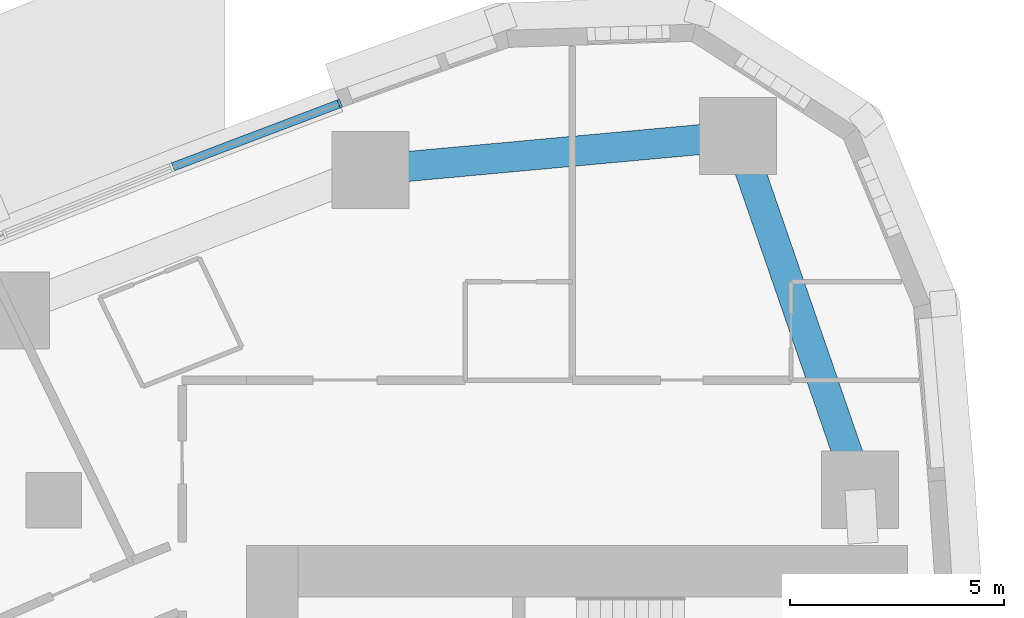
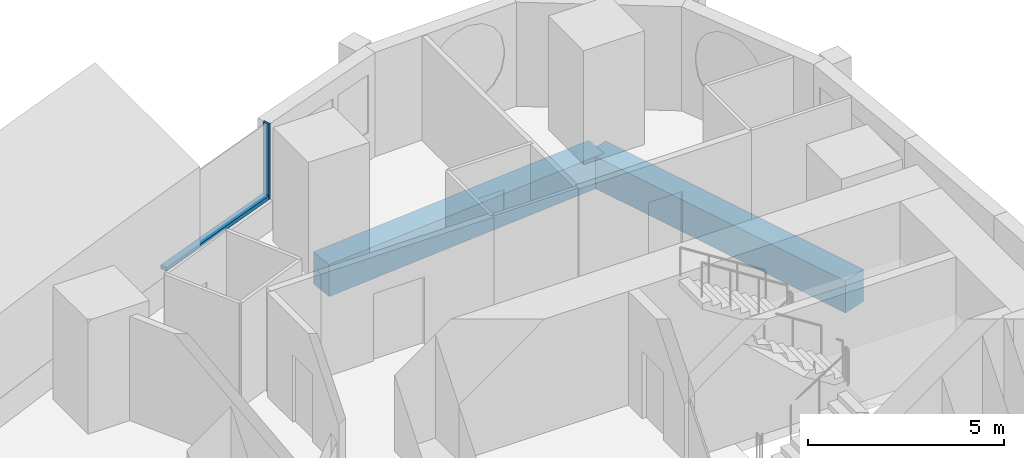
# One storey, part 7 of 19: 2 beams, 2 members, 1 element without a shape of its own.
"""IFC4 building model written with IfcOpenShell, lengths in metres."""

import ifcopenshell
import ifcopenshell.guid

model = None  # the IFC model being written
_history = None  # IfcOwnerHistory: only IFC2X3 demands one
_inside = {}  # id of a spatial element -> (the spatial element, [elements in it])
_under = {}  # id of a project, library or spatial element -> (it, [spatial elements below it])
_declared = {}  # id of a project -> (the project, [libraries it declares])
_typed = {}  # id of a type object -> (the type object, [elements of that type])
_made_of = {}  # id of a material, layer set ... -> (it, [elements and type objects made of it])


def new_model(schema):
    """Start an empty IFC model of exactly this schema.

    Asked for "IFC4X3", IfcOpenShell would pick the latest addendum, in which some entities
    have other attributes; the version numbers below select the first issue.
    IFC2X3 requires an IfcOwnerHistory on every rooted entity: one is made here for all.
    """
    global model, _history
    if schema == "IFC4X3":
        model = ifcopenshell.file(schema_version=(4, 3, 0, 0))
    else:
        model = ifcopenshell.file(schema=schema)
    _inside.clear()
    _under.clear()
    _declared.clear()
    _typed.clear()
    _made_of.clear()
    _history = None
    if model.schema == "IFC2X3":
        org = make("IfcOrganization", Name="unknown")
        user = make(
            "IfcPersonAndOrganization",
            ThePerson=make("IfcPerson", FamilyName="unknown"),
            TheOrganization=org,
        )
        app = make(
            "IfcApplication",
            ApplicationDeveloper=org,
            Version="unknown",
            ApplicationFullName="unknown",
            ApplicationIdentifier="unknown",
        )
        _history = make(
            "IfcOwnerHistory",
            OwningUser=user,
            OwningApplication=app,
            ChangeAction="ADDED",
            CreationDate=0,
        )
    return model


def make(cls, **values):
    """One entity of the class cls with the attributes given. An attribute that is None is left unset."""
    return model.create_entity(
        cls, **{name: value for name, value in values.items() if value is not None}
    )


def rooted(cls, **values):
    """An entity with a GlobalId (a new one), such as an element, a storey or a relation."""
    return make(cls, GlobalId=ifcopenshell.guid.new(), OwnerHistory=_history, **values)


def si_unit(unit_type, name, prefix=None):
    """IfcSIUnit, for example si_unit("LENGTHUNIT", "METRE", prefix="MILLI")."""
    return make("IfcSIUnit", UnitType=unit_type, Prefix=prefix, Name=name)


def assignment(units):
    """IfcUnitAssignment: the units of a project."""
    return None if units is None else make("IfcUnitAssignment", Units=units)


def point(xyz):
    """IfcCartesianPoint."""
    return None if xyz is None else make("IfcCartesianPoint", Coordinates=xyz)


def direction(xyz):
    """IfcDirection."""
    return None if xyz is None else make("IfcDirection", DirectionRatios=xyz)


def frame(location, z_axis=None, x_axis=None):
    """IfcAxis2Placement3D, a coordinate frame: its origin and axes. An axis left out is left unset."""
    return make(
        "IfcAxis2Placement3D",
        Location=point(location),
        Axis=direction(z_axis),
        RefDirection=direction(x_axis),
    )


def frame_2d(location, x_axis=None):
    """IfcAxis2Placement2D, a coordinate frame in the plane: its origin and x axis."""
    return make(
        "IfcAxis2Placement2D", Location=point(location), RefDirection=direction(x_axis)
    )


def origin():
    """The frame at (0, 0, 0) with its axes left unset."""
    return frame((0.0, 0.0, 0.0))


def origin_2d():
    """The frame at (0, 0) in the plane with its x axis left unset."""
    return frame_2d((0.0, 0.0))


def place(relative_to, where):
    """IfcLocalPlacement: puts the frame where relative to a parent placement (None: the world)."""
    return make(
        "IfcLocalPlacement", PlacementRelTo=relative_to, RelativePlacement=where
    )


def context(
    kind, dimensions, precision=None, world=None, true_north=None, identifier=None
):
    """IfcGeometricRepresentationContext, for example the 3D "Model" context."""
    return make(
        "IfcGeometricRepresentationContext",
        ContextIdentifier=identifier,
        ContextType=kind,
        CoordinateSpaceDimension=dimensions,
        Precision=precision,
        WorldCoordinateSystem=world,
        TrueNorth=true_north,
    )


def subcontext(parent, identifier, kind, view, scale=None):
    """IfcGeometricRepresentationSubContext, for example "Body" below "Model"."""
    return make(
        "IfcGeometricRepresentationSubContext",
        ContextIdentifier=identifier,
        ContextType=kind,
        ParentContext=parent,
        TargetScale=scale,
        TargetView=view,
    )


def project(units=None, contexts=None):
    """IfcProject with its units and contexts."""
    return rooted(
        "IfcProject",
        Name="project",
        RepresentationContexts=contexts,
        UnitsInContext=assignment(units),
    )


def spatial(cls, under=None, at=None, **own):
    """A site, building, storey or space (cls), placed at a placement, below another one or the project."""
    s = rooted(cls, ObjectPlacement=at, **own)
    if under is not None:
        _under.setdefault(under.id(), (under, []))[1].append(s)
    return s


def profile(cls, at=None, kind="AREA", **sizes):
    """A parametric profile (cls). Its sizes go by their IFC names, for example OverallWidth=200.0."""
    return make(cls, ProfileType=kind, Position=at, **sizes)


def rectangle(**sizes):
    """IfcRectangleProfileDef."""
    return profile("IfcRectangleProfileDef", **sizes)


def extrude(swept, where, along, depth):
    """IfcExtrudedAreaSolid: the profile swept, set in the frame where, extruded along a direction by depth."""
    return make(
        "IfcExtrudedAreaSolid",
        SweptArea=swept,
        Position=where,
        ExtrudedDirection=direction(along),
        Depth=depth,
    )


def shape(context_of_items, identifier, shape_type, items):
    """IfcShapeRepresentation: the items that make up one representation, for example the "Body"."""
    return make(
        "IfcShapeRepresentation",
        ContextOfItems=context_of_items,
        RepresentationIdentifier=identifier,
        RepresentationType=shape_type,
        Items=items,
    )


def material(Name=None, Category=None):
    """IfcMaterial."""
    return make("IfcMaterial", Name=Name, Category=Category)


def layer(
    of_material, thickness, ventilated=None, Name=None, Category=None, Priority=None
):
    """IfcMaterialLayer: one layer of a wall or slab, of a material (None: an air gap)."""
    return make(
        "IfcMaterialLayer",
        Material=of_material,
        LayerThickness=thickness,
        IsVentilated=ventilated,
        Name=Name,
        Category=Category,
        Priority=Priority,
    )


def layer_set(layers, Name=None):
    """IfcMaterialLayerSet."""
    return make("IfcMaterialLayerSet", MaterialLayers=layers, LayerSetName=Name)


def material_profile(
    of_material, cross_section, Name=None, Category=None, Priority=None
):
    """IfcMaterialProfile: a cross section and its material."""
    return make(
        "IfcMaterialProfile",
        Name=Name,
        Material=of_material,
        Profile=cross_section,
        Priority=Priority,
        Category=Category,
    )


def profile_set(profiles, Name=None, composite=None):
    """IfcMaterialProfileSet."""
    return make(
        "IfcMaterialProfileSet",
        Name=Name,
        MaterialProfiles=profiles,
        CompositeProfile=composite,
    )


def made_of(thing, what):
    """Note that an element or type object is made of a material, layer set ...; save() writes the relation."""
    if what is not None:
        _made_of.setdefault(what.id(), (what, []))[1].append(thing)
    return thing


def type_object(cls, material=None, **own):
    """A type object (cls), such as IfcWallType, which elements share."""
    return made_of(rooted(cls, **own), material)


def element(
    cls,
    number,
    at=None,
    inside=None,
    cuts=None,
    type_object=None,
    material=None,
    context=None,
    identifier="Body",
    shape_type=None,
    held_by="IfcProductDefinitionShape",
    body=None,
    shapes=None,
    **own,
):
    """One element of the class cls, such as IfcWall. Its Tag is "e" and its number.

    at: its placement. inside: the storey or other place that contains it. cuts: it is an
    opening in that element (IfcRelVoidsElement). A single representation is given by context,
    identifier, shape_type and body (its items); several are given by shapes. held_by: the class
    of the entity that holds the representations. save() writes the other relations.
    """
    e = rooted(cls, Tag="e%d" % number, ObjectPlacement=at, **own)
    if body is not None:
        shapes = [shape(context, identifier, shape_type, body)]
    if shapes is not None:
        e.Representation = make(held_by, Representations=shapes)
    if inside is not None:
        _inside.setdefault(inside.id(), (inside, []))[1].append(e)
    if cuts is not None:
        rooted(
            "IfcRelVoidsElement", RelatingBuildingElement=cuts, RelatedOpeningElement=e
        )
    if type_object is not None:
        _typed.setdefault(type_object.id(), (type_object, []))[1].append(e)
    return made_of(e, material)


def aggregate(whole, parts):
    """IfcRelAggregates: a whole, such as a stair, and the parts it consists of."""
    return rooted("IfcRelAggregates", RelatingObject=whole, RelatedObjects=parts)


def save(model, path):
    """Write the relations noted so far, then the file.

    IfcRelAggregates (storeys below a building ...), IfcRelContainedInSpatialStructure (elements
    in a storey), IfcRelDefinesByType, IfcRelAssociatesMaterial and IfcRelDeclares: one each for
    every whole, place, type object, material and project.
    """
    for whole, parts in _under.values():
        aggregate(whole, parts)
    for where, things in _inside.values():
        rooted(
            "IfcRelContainedInSpatialStructure",
            RelatedElements=things,
            RelatingStructure=where,
        )
    for kind, things in _typed.values():
        rooted("IfcRelDefinesByType", RelatedObjects=things, RelatingType=kind)
    for what, things in _made_of.values():
        rooted("IfcRelAssociatesMaterial", RelatedObjects=things, RelatingMaterial=what)
    for by, libraries in _declared.values():
        rooted("IfcRelDeclares", RelatingContext=by, RelatedDefinitions=libraries)
    model.write(path)


model = new_model("IFC4")

# Units and contexts
model_context = context("Model", 3, precision=1e-05, world=origin(), true_north=direction((0.0, 1.0)))
body_context = subcontext(model_context, "Body", "Model", "MODEL_VIEW")
ifc_project = project(units=[si_unit("LENGTHUNIT", "METRE"), si_unit("AREAUNIT", "SQUARE_METRE"), si_unit("VOLUMEUNIT", "CUBIC_METRE"), si_unit("PLANEANGLEUNIT", "RADIAN"), si_unit("MASSUNIT", "GRAM", prefix="KILO")], contexts=[model_context])

# Site, building, storey
site_placement = place(None, origin())
site = spatial("IfcSite", under=ifc_project, at=site_placement, CompositionType="ELEMENT")
building_placement = place(site_placement, origin())
building = spatial("IfcBuilding", under=site, at=building_placement, Name="Ostrand Prow Hotel Tower", CompositionType="ELEMENT")
storey_placement = place(building_placement, frame((0.0, 0.0, 39.60009765625)))
storey = spatial("IfcBuildingStorey", under=building, at=storey_placement, Name="L07", CompositionType="ELEMENT", Elevation=39.60009765625)

# Beams
ifc_material_1 = material(Name="Concrete C80/95", Category="concrete")
ifc_material_profile_1 = material_profile(ifc_material_1, rectangle(XDim=0.699951171875, YDim=1.0, at=origin_2d()), Name="RC 700x1000")
ifc_profile_set_1 = profile_set([ifc_material_profile_1], Name="Concrete C80/95")
beam_type = type_object("IfcBeamType", Name="Edge beam 700x1000 C80/95", PredefinedType="SPANDREL", material=ifc_profile_set_1)
beam_1_placement = place(storey_placement, frame((63.8134765625, 18.248779296875, -0.800048828125), z_axis=(-0.326263961413, 0.945278703602, 0.0), x_axis=(-0.945278703602, -0.326263961413, 0.0)))
element("IfcBeam", 1, at=beam_1_placement, inside=storey, type_object=beam_type, Name="Edge beam B5-NE", PredefinedType="SPANDREL", context=body_context, shape_type="SweptSolid", body=[
    extrude(rectangle(XDim=0.699951171875, YDim=1.0, at=origin_2d()), origin(), (0.0, 0.0, 1.0), 8.727294921875),
])
beam_2_placement = place(storey_placement, frame((60.966064453125, 26.49853515625, -0.800048828125), z_axis=(-0.995800189514, -0.091553167961, 0.0), x_axis=(0.091553167961, -0.995800189514, 0.0)))
element("IfcBeam", 2, at=beam_2_placement, inside=storey, type_object=beam_type, Name="Edge beam NE-N1", PredefinedType="SPANDREL", context=body_context, shape_type="SweptSolid", body=[
    extrude(rectangle(XDim=0.699951171875, YDim=1.0, at=origin_2d()), origin(), (0.0, 0.0, 1.0), 8.610595703125),
])

# Curtain wall, members
ifc_material_2 = material(Name="Insulated glass in bronze anodised frame", Category="glass")
ifc_layer = layer(ifc_material_2, 0.199951171875)
ifc_layer_set = layer_set([ifc_layer], Name="Insulated glass in bronze anodised frame")
curtain_wall_type = type_object("IfcCurtainWallType", Name="Strip curtain wall, fritted glass over bronze spandrel", PredefinedType="NOTDEFINED", material=ifc_layer_set)
curtain_wall_placement = place(storey_placement, origin())
curtain_wall = element("IfcCurtainWall", 3, at=curtain_wall_placement, inside=storey, type_object=curtain_wall_type, Name="CW1 run CWN1", PredefinedType="NOTDEFINED")
ifc_material_3 = material(Name="Bronze anodised aluminium", Category="aluminium")
ifc_material_profile_2 = material_profile(ifc_material_3, rectangle(XDim=0.199951171875, YDim=0.06005859375, at=origin_2d()), Name="Mullion 60x200 bronze anodised aluminium")
ifc_profile_set_2 = profile_set([ifc_material_profile_2], Name="Bronze anodised aluminium")
member_type_1 = type_object("IfcMemberType", Name="Mullion 60x200 bronze anodised aluminium", PredefinedType="MULLION", material=ifc_profile_set_2)
member_1_placement = place(storey_placement, frame((51.674560546875, 27.2578125, 0.89990234375), z_axis=(0.0, 0.0, 1.0), x_axis=(0.354728407072, -0.934969388384, 0.0)))
member_1 = element("IfcMember", 4, at=member_1_placement, type_object=member_type_1, Name="CW1 mullion 1", PredefinedType="MULLION", context=body_context, shape_type="SweptSolid", body=[
    extrude(rectangle(XDim=0.199951171875, YDim=0.06005859375, at=origin_2d()), origin(), (0.0, 0.0, 1.0), 2.35009765625),
])
ifc_material_4 = material(Name="Bronze anodised aluminium", Category="aluminium")
ifc_material_profile_3 = material_profile(ifc_material_4, rectangle(XDim=0.199951171875, YDim=0.1201171875, at=origin_2d()), Name="Transom 120x200 bronze anodised aluminium")
ifc_profile_set_3 = profile_set([ifc_material_profile_3], Name="Bronze anodised aluminium")
member_type_2 = type_object("IfcMemberType", Name="Transom 120x200 bronze anodised aluminium", PredefinedType="USERDEFINED", material=ifc_profile_set_3)
member_2_placement = place(storey_placement, frame((51.646484375, 27.2470703125, 0.9599609375), z_axis=(-0.93497051437, -0.354725439261, 0.0), x_axis=(0.354725439261, -0.93497051437, 0.0)))
member_2 = element("IfcMember", 5, at=member_2_placement, type_object=member_type_2, Name="CW1 transom 1.1", ObjectType="TRANSOM", PredefinedType="USERDEFINED", context=body_context, shape_type="SweptSolid", body=[
    extrude(rectangle(XDim=0.199951171875, YDim=0.1201171875, at=origin_2d()), origin(), (0.0, 0.0, 1.0), 4.13427734375),
])
aggregate(curtain_wall, [member_1, member_2])

save(model, "model.ifc")
